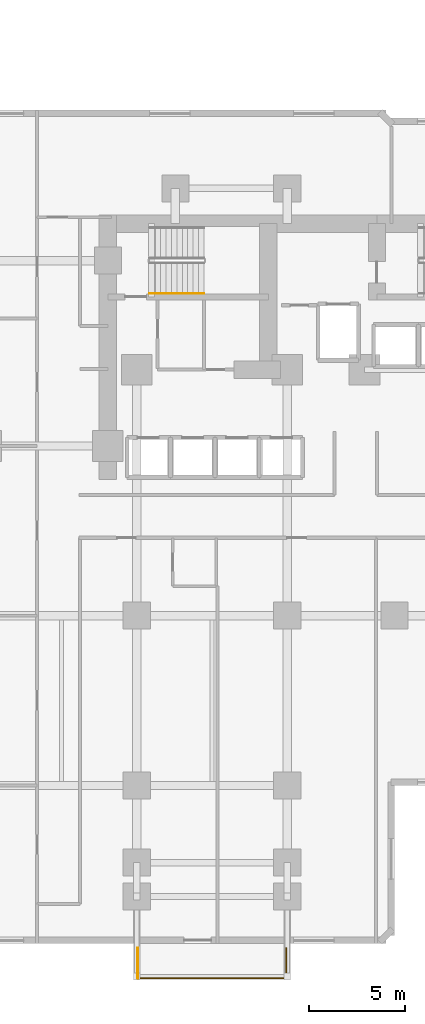
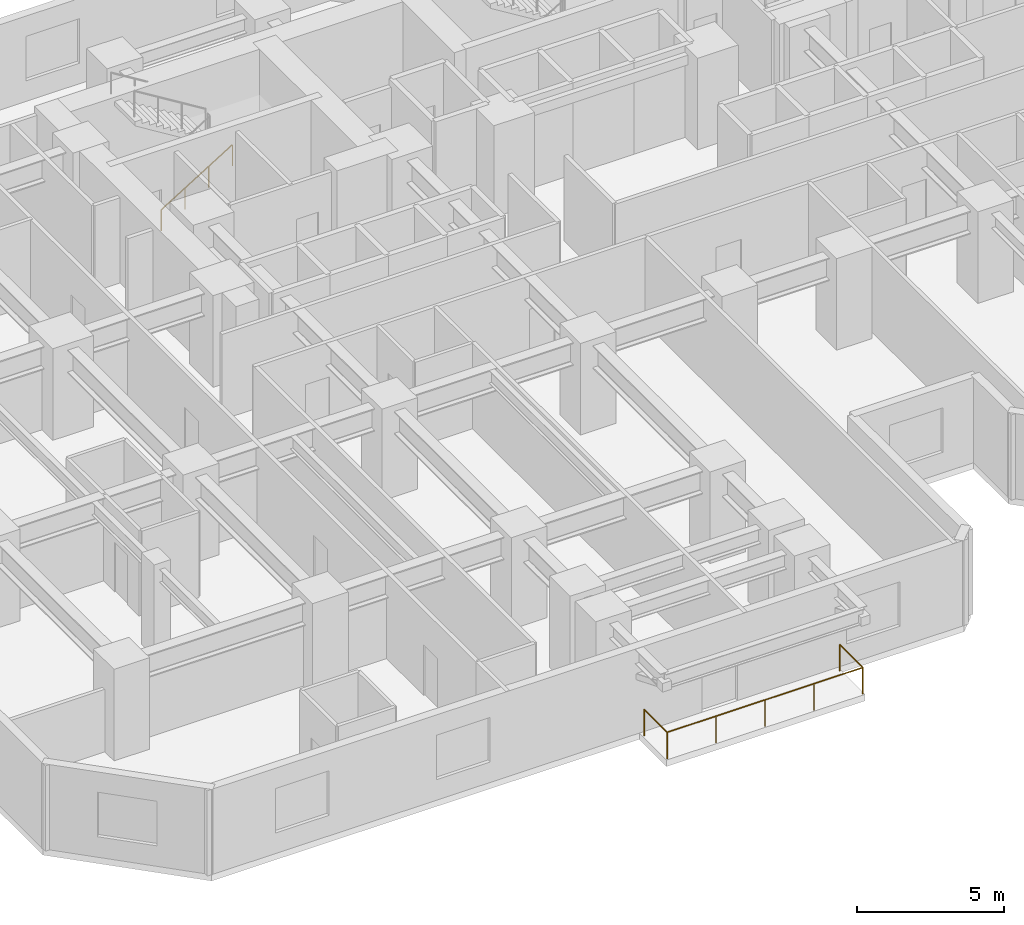
# One storey, part 11 of 12: 3 railings.
"""IFC4 building model written with IfcOpenShell, lengths in metres."""

from ifc_helpers import new_model, si_unit, direction, frame, origin, origin_2d, place, context, subcontext, project, spatial, circle, extrude, material, type_object, element, save


model = new_model("IFC4")

# Units and contexts
model_context = context("Model", 3, precision=1e-05, world=origin(), true_north=direction((0.0, 1.0)))
body_context = subcontext(model_context, "Body", "Model", "MODEL_VIEW")
ifc_project = project(units=[si_unit("LENGTHUNIT", "METRE"), si_unit("AREAUNIT", "SQUARE_METRE"), si_unit("VOLUMEUNIT", "CUBIC_METRE"), si_unit("PLANEANGLEUNIT", "RADIAN"), si_unit("MASSUNIT", "GRAM", prefix="KILO")], contexts=[model_context])

# Site, building, storey
site_placement = place(None, origin())
site = spatial("IfcSite", under=ifc_project, at=site_placement, CompositionType="ELEMENT")
building_placement = place(site_placement, origin())
building = spatial("IfcBuilding", under=site, at=building_placement, Name="Kestravale Grand Hotel", CompositionType="ELEMENT")
storey_placement = place(building_placement, frame((0.0, 0.0, 67.800048828125)))
storey = spatial("IfcBuildingStorey", under=building, at=storey_placement, Name="L16", CompositionType="ELEMENT", Elevation=67.800048828125)

# Railings
ifc_material_1 = material(Name="Champagne-bronze stainless steel and laminated glass guard", Category="steel")
railing_type_1 = type_object("IfcRailingType", Name="RL-EXT-1100", PredefinedType="GUARDRAIL", material=ifc_material_1)
railing_1_placement = place(storey_placement, frame((23.4599609375, 1.2099609375, 0.0)))
element("IfcRailing", 1, at=railing_1_placement, inside=storey, type_object=railing_type_1, Name="L16 outdoor terrace guard 1", PredefinedType="GUARDRAIL", context=body_context, shape_type="SweptSolid", body=[
    extrude(circle(Radius=0.02392578125, at=origin_2d()), frame((0.0, 0.0, 1.09619140625), z_axis=(0.0, 1.0, 0.0), x_axis=(-1.0, 0.0, 0.0)), (0.0, 0.0, 1.0), 1.570068359375),
    extrude(circle(Radius=0.02099609375, at=origin_2d()), origin(), (0.0, 0.0, 1.0), 1.072021484375),
    extrude(circle(Radius=0.02099609375, at=origin_2d()), frame((0.0, 1.570068359375, 0.0)), (0.0, 0.0, 1.0), 1.072021484375),
])
railing_2_placement = place(storey_placement, frame((31.139892578125, 2.780029296875, 0.0)))
element("IfcRailing", 2, at=railing_2_placement, inside=storey, type_object=railing_type_1, Name="L16 outdoor terrace guard 2", PredefinedType="GUARDRAIL", context=body_context, shape_type="SweptSolid", body=[
    extrude(circle(Radius=0.02392578125, at=origin_2d()), frame((0.0, 0.0, 1.09619140625), z_axis=(0.0, -1.0, 0.0), x_axis=(1.0, 0.0, 0.0)), (0.0, 0.0, 1.0), 1.570068359375),
    extrude(circle(Radius=0.02392578125, at=origin_2d()), frame((0.0, -1.570068359375, 1.09619140625), z_axis=(-1.0, 0.0, 0.0), x_axis=(0.0, -1.0, 0.0)), (0.0, 0.0, 1.0), 7.679931640625),
    extrude(circle(Radius=0.02099609375, at=origin_2d()), origin(), (0.0, 0.0, 1.0), 1.072021484375),
    extrude(circle(Radius=0.02099609375, at=origin_2d()), frame((0.0, -1.570068359375, 0.0)), (0.0, 0.0, 1.0), 1.072021484375),
    extrude(circle(Radius=0.02099609375, at=origin_2d()), frame((-1.919921875, -1.570068359375, 0.0)), (0.0, 0.0, 1.0), 1.072021484375),
    extrude(circle(Radius=0.02099609375, at=origin_2d()), frame((-3.83984375, -1.570068359375, 0.0)), (0.0, 0.0, 1.0), 1.072021484375),
    extrude(circle(Radius=0.02099609375, at=origin_2d()), frame((-5.760009765625, -1.570068359375, 0.0)), (0.0, 0.0, 1.0), 1.072021484375),
    extrude(circle(Radius=0.02099609375, at=origin_2d()), frame((-7.679931640625, -1.570068359375, 0.0)), (0.0, 0.0, 1.0), 1.072021484375),
])
ifc_material_2 = material(Name="Brushed stainless steel wall handrail", Category="steel")
railing_type_2 = type_object("IfcRailingType", Name="RL-ST-HND900", PredefinedType="HANDRAIL", material=ifc_material_2)
railing_3_placement = place(storey_placement, frame((24.080078125, 36.699951171875, 0.172607421875)))
element("IfcRailing", 3, at=railing_3_placement, inside=storey, type_object=railing_type_2, Name="L16 ST-1 stair handrail 1", PredefinedType="HANDRAIL", context=body_context, shape_type="SweptSolid", body=[
    extrude(circle(Radius=0.02392578125, at=origin_2d()), frame((0.0, 0.0, 0.8759765625), z_axis=(0.851069175582, 0.0, 0.525053576669), x_axis=(0.0, 1.0, 0.0)), (0.0, 0.0, 1.0), 3.289794921875),
    extrude(circle(Radius=0.02099609375, at=origin_2d()), origin(), (0.0, 0.0, 1.0), 0.851806640625),
    extrude(circle(Radius=0.02099609375, at=origin_2d()), frame((0.933349609375, 0.0, 0.57568359375)), (0.0, 0.0, 1.0), 0.851806640625),
    extrude(circle(Radius=0.02099609375, at=origin_2d()), frame((1.866455078125, 0.0, 1.151611328125)), (0.0, 0.0, 1.0), 0.851806640625),
    extrude(circle(Radius=0.02099609375, at=origin_2d()), frame((2.7998046875, 0.0, 1.727294921875)), (0.0, 0.0, 1.0), 0.851806640625),
])

save(model, "model.ifc")
